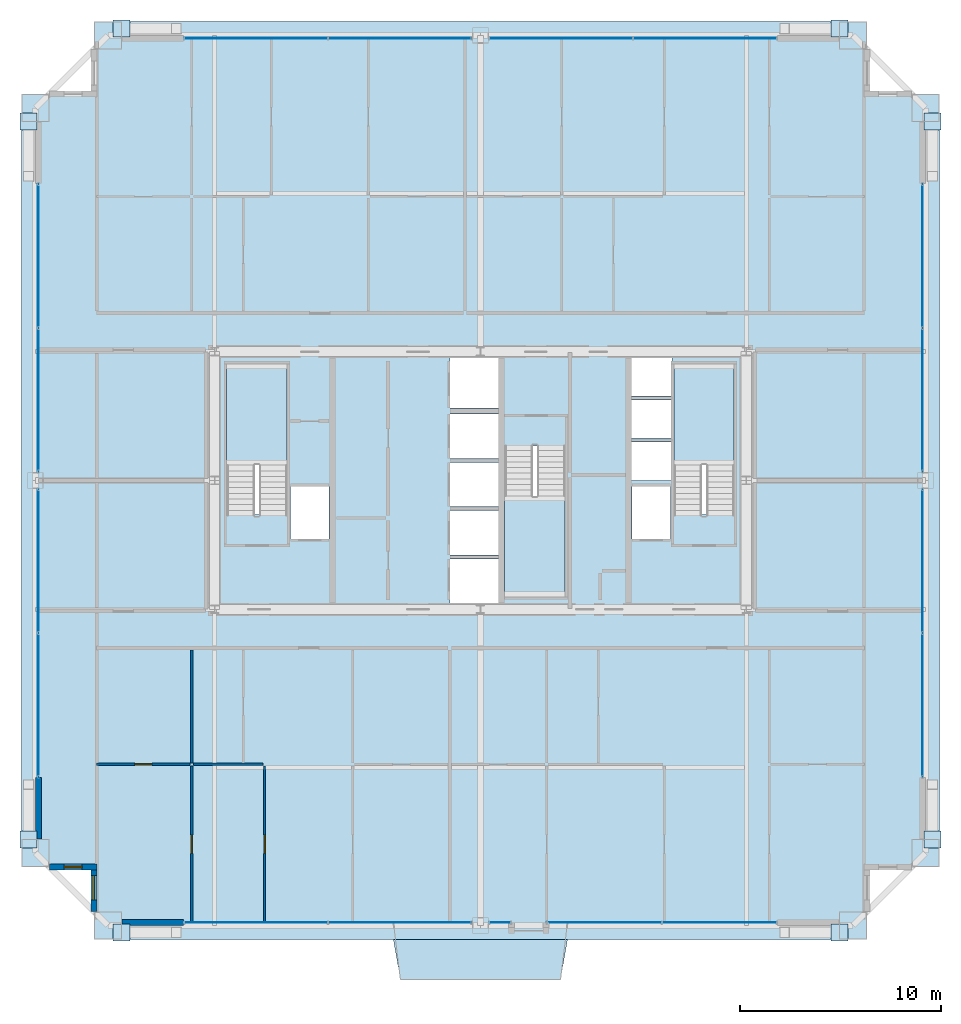
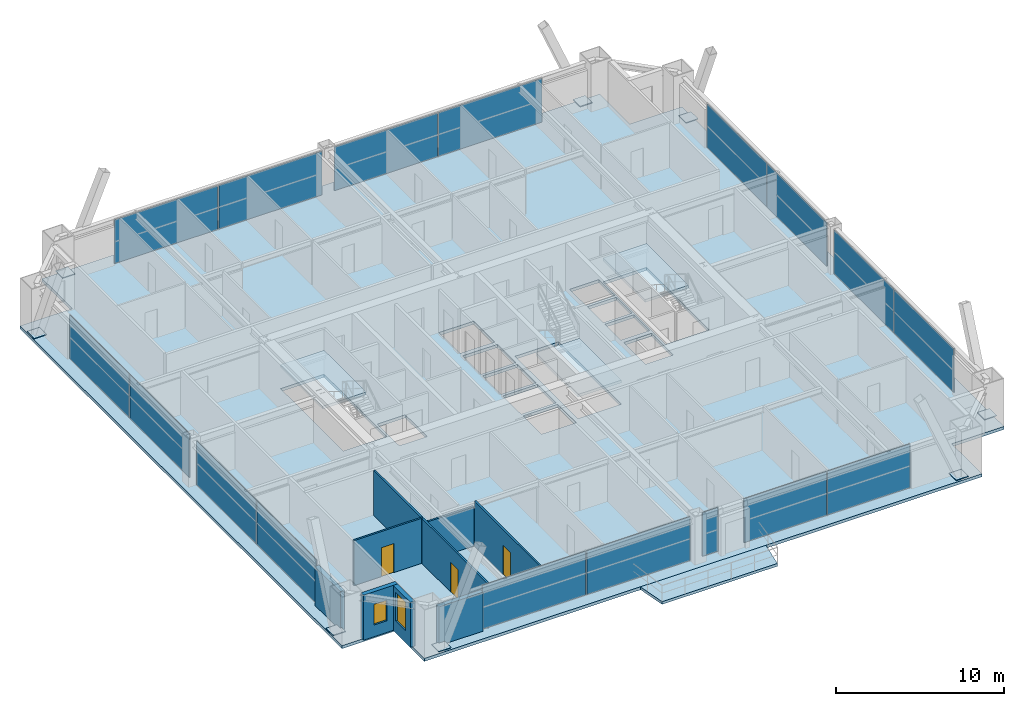
# One storey, part 39 of 45: 25 plates, 9 walls, 5 slabs, 3 doors, 2 windows, 5 openings, 12 elements without a shape of their own.
"""IFC4 building model written with IfcOpenShell, lengths in metres."""

import ifcopenshell
import ifcopenshell.guid

model = None  # the IFC model being written
_history = None  # IfcOwnerHistory: only IFC2X3 demands one
_inside = {}  # id of a spatial element -> (the spatial element, [elements in it])
_under = {}  # id of a project, library or spatial element -> (it, [spatial elements below it])
_declared = {}  # id of a project -> (the project, [libraries it declares])
_typed = {}  # id of a type object -> (the type object, [elements of that type])
_made_of = {}  # id of a material, layer set ... -> (it, [elements and type objects made of it])


def new_model(schema):
    """Start an empty IFC model of exactly this schema.

    Asked for "IFC4X3", IfcOpenShell would pick the latest addendum, in which some entities
    have other attributes; the version numbers below select the first issue.
    IFC2X3 requires an IfcOwnerHistory on every rooted entity: one is made here for all.
    """
    global model, _history
    if schema == "IFC4X3":
        model = ifcopenshell.file(schema_version=(4, 3, 0, 0))
    else:
        model = ifcopenshell.file(schema=schema)
    _inside.clear()
    _under.clear()
    _declared.clear()
    _typed.clear()
    _made_of.clear()
    _history = None
    if model.schema == "IFC2X3":
        org = make("IfcOrganization", Name="unknown")
        user = make(
            "IfcPersonAndOrganization",
            ThePerson=make("IfcPerson", FamilyName="unknown"),
            TheOrganization=org,
        )
        app = make(
            "IfcApplication",
            ApplicationDeveloper=org,
            Version="unknown",
            ApplicationFullName="unknown",
            ApplicationIdentifier="unknown",
        )
        _history = make(
            "IfcOwnerHistory",
            OwningUser=user,
            OwningApplication=app,
            ChangeAction="ADDED",
            CreationDate=0,
        )
    return model


def make(cls, **values):
    """One entity of the class cls with the attributes given. An attribute that is None is left unset."""
    return model.create_entity(
        cls, **{name: value for name, value in values.items() if value is not None}
    )


def rooted(cls, **values):
    """An entity with a GlobalId (a new one), such as an element, a storey or a relation."""
    return make(cls, GlobalId=ifcopenshell.guid.new(), OwnerHistory=_history, **values)


def si_unit(unit_type, name, prefix=None):
    """IfcSIUnit, for example si_unit("LENGTHUNIT", "METRE", prefix="MILLI")."""
    return make("IfcSIUnit", UnitType=unit_type, Prefix=prefix, Name=name)


def assignment(units):
    """IfcUnitAssignment: the units of a project."""
    return None if units is None else make("IfcUnitAssignment", Units=units)


def point(xyz):
    """IfcCartesianPoint."""
    return None if xyz is None else make("IfcCartesianPoint", Coordinates=xyz)


def direction(xyz):
    """IfcDirection."""
    return None if xyz is None else make("IfcDirection", DirectionRatios=xyz)


def frame(location, z_axis=None, x_axis=None):
    """IfcAxis2Placement3D, a coordinate frame: its origin and axes. An axis left out is left unset."""
    return make(
        "IfcAxis2Placement3D",
        Location=point(location),
        Axis=direction(z_axis),
        RefDirection=direction(x_axis),
    )


def frame_2d(location, x_axis=None):
    """IfcAxis2Placement2D, a coordinate frame in the plane: its origin and x axis."""
    return make(
        "IfcAxis2Placement2D", Location=point(location), RefDirection=direction(x_axis)
    )


def origin():
    """The frame at (0, 0, 0) with its axes left unset."""
    return frame((0.0, 0.0, 0.0))


def origin_2d():
    """The frame at (0, 0) in the plane with its x axis left unset."""
    return frame_2d((0.0, 0.0))


def place(relative_to, where):
    """IfcLocalPlacement: puts the frame where relative to a parent placement (None: the world)."""
    return make(
        "IfcLocalPlacement", PlacementRelTo=relative_to, RelativePlacement=where
    )


def context(
    kind, dimensions, precision=None, world=None, true_north=None, identifier=None
):
    """IfcGeometricRepresentationContext, for example the 3D "Model" context."""
    return make(
        "IfcGeometricRepresentationContext",
        ContextIdentifier=identifier,
        ContextType=kind,
        CoordinateSpaceDimension=dimensions,
        Precision=precision,
        WorldCoordinateSystem=world,
        TrueNorth=true_north,
    )


def subcontext(parent, identifier, kind, view, scale=None):
    """IfcGeometricRepresentationSubContext, for example "Body" below "Model"."""
    return make(
        "IfcGeometricRepresentationSubContext",
        ContextIdentifier=identifier,
        ContextType=kind,
        ParentContext=parent,
        TargetScale=scale,
        TargetView=view,
    )


def project(units=None, contexts=None):
    """IfcProject with its units and contexts."""
    return rooted(
        "IfcProject",
        Name="project",
        RepresentationContexts=contexts,
        UnitsInContext=assignment(units),
    )


def spatial(cls, under=None, at=None, **own):
    """A site, building, storey or space (cls), placed at a placement, below another one or the project."""
    s = rooted(cls, ObjectPlacement=at, **own)
    if under is not None:
        _under.setdefault(under.id(), (under, []))[1].append(s)
    return s


def polyline(points):
    """IfcPolyline through the points."""
    return make("IfcPolyline", Points=[point(p) for p in points])


def profile(cls, at=None, kind="AREA", **sizes):
    """A parametric profile (cls). Its sizes go by their IFC names, for example OverallWidth=200.0."""
    return make(cls, ProfileType=kind, Position=at, **sizes)


def rectangle(**sizes):
    """IfcRectangleProfileDef."""
    return profile("IfcRectangleProfileDef", **sizes)


def outline(outer, holes=None, kind="AREA"):
    """IfcArbitraryClosedProfileDef: a profile drawn as a closed curve; with holes, ...WithVoids."""
    if holes is None:
        return make("IfcArbitraryClosedProfileDef", ProfileType=kind, OuterCurve=outer)
    return make(
        "IfcArbitraryProfileDefWithVoids",
        ProfileType=kind,
        OuterCurve=outer,
        InnerCurves=holes,
    )


def extrude(swept, where, along, depth):
    """IfcExtrudedAreaSolid: the profile swept, set in the frame where, extruded along a direction by depth."""
    return make(
        "IfcExtrudedAreaSolid",
        SweptArea=swept,
        Position=where,
        ExtrudedDirection=direction(along),
        Depth=depth,
    )


def shape(context_of_items, identifier, shape_type, items):
    """IfcShapeRepresentation: the items that make up one representation, for example the "Body"."""
    return make(
        "IfcShapeRepresentation",
        ContextOfItems=context_of_items,
        RepresentationIdentifier=identifier,
        RepresentationType=shape_type,
        Items=items,
    )


def source(mapping_origin, context_of_items, identifier, shape_type, items):
    """IfcRepresentationMap: a shape defined once, which mapped items show again and again."""
    return make(
        "IfcRepresentationMap",
        MappingOrigin=mapping_origin,
        MappedRepresentation=shape(context_of_items, identifier, shape_type, items),
    )


def transform(
    local_origin,
    x_axis=None,
    y_axis=None,
    z_axis=None,
    scale=None,
    scale2=None,
    scale3=None,
    uniform=True,
):
    """IfcCartesianTransformationOperator3D, or its non-uniform kind. x_axis, y_axis, z_axis: its Axis1, 2, 3."""
    if uniform:
        return make(
            "IfcCartesianTransformationOperator3D",
            Axis1=direction(x_axis),
            Axis2=direction(y_axis),
            LocalOrigin=point(local_origin),
            Scale=scale,
            Axis3=direction(z_axis),
        )
    return make(
        "IfcCartesianTransformationOperator3DnonUniform",
        Axis1=direction(x_axis),
        Axis2=direction(y_axis),
        LocalOrigin=point(local_origin),
        Scale=scale,
        Axis3=direction(z_axis),
        Scale2=scale2,
        Scale3=scale3,
    )


def mapped(mapping_source, mapping_target):
    """IfcMappedItem: shows the shape of a source again, moved by a transform."""
    return make(
        "IfcMappedItem", MappingSource=mapping_source, MappingTarget=mapping_target
    )


def material(Name=None, Category=None):
    """IfcMaterial."""
    return make("IfcMaterial", Name=Name, Category=Category)


def layer(
    of_material, thickness, ventilated=None, Name=None, Category=None, Priority=None
):
    """IfcMaterialLayer: one layer of a wall or slab, of a material (None: an air gap)."""
    return make(
        "IfcMaterialLayer",
        Material=of_material,
        LayerThickness=thickness,
        IsVentilated=ventilated,
        Name=Name,
        Category=Category,
        Priority=Priority,
    )


def layer_set(layers, Name=None):
    """IfcMaterialLayerSet."""
    return make("IfcMaterialLayerSet", MaterialLayers=layers, LayerSetName=Name)


def made_of(thing, what):
    """Note that an element or type object is made of a material, layer set ...; save() writes the relation."""
    if what is not None:
        _made_of.setdefault(what.id(), (what, []))[1].append(thing)
    return thing


def type_object(cls, material=None, **own):
    """A type object (cls), such as IfcWallType, which elements share."""
    return made_of(rooted(cls, **own), material)


def element(
    cls,
    number,
    at=None,
    inside=None,
    cuts=None,
    type_object=None,
    material=None,
    context=None,
    identifier="Body",
    shape_type=None,
    held_by="IfcProductDefinitionShape",
    body=None,
    shapes=None,
    **own,
):
    """One element of the class cls, such as IfcWall. Its Tag is "e" and its number.

    at: its placement. inside: the storey or other place that contains it. cuts: it is an
    opening in that element (IfcRelVoidsElement). A single representation is given by context,
    identifier, shape_type and body (its items); several are given by shapes. held_by: the class
    of the entity that holds the representations. save() writes the other relations.
    """
    e = rooted(cls, Tag="e%d" % number, ObjectPlacement=at, **own)
    if body is not None:
        shapes = [shape(context, identifier, shape_type, body)]
    if shapes is not None:
        e.Representation = make(held_by, Representations=shapes)
    if inside is not None:
        _inside.setdefault(inside.id(), (inside, []))[1].append(e)
    if cuts is not None:
        rooted(
            "IfcRelVoidsElement", RelatingBuildingElement=cuts, RelatedOpeningElement=e
        )
    if type_object is not None:
        _typed.setdefault(type_object.id(), (type_object, []))[1].append(e)
    return made_of(e, material)


def fill(opening, filler):
    """IfcRelFillsElement: the door or window that sits in an opening."""
    return rooted(
        "IfcRelFillsElement",
        RelatingOpeningElement=opening,
        RelatedBuildingElement=filler,
    )


def aggregate(whole, parts):
    """IfcRelAggregates: a whole, such as a stair, and the parts it consists of."""
    return rooted("IfcRelAggregates", RelatingObject=whole, RelatedObjects=parts)


def save(model, path):
    """Write the relations noted so far, then the file.

    IfcRelAggregates (storeys below a building ...), IfcRelContainedInSpatialStructure (elements
    in a storey), IfcRelDefinesByType, IfcRelAssociatesMaterial and IfcRelDeclares: one each for
    every whole, place, type object, material and project.
    """
    for whole, parts in _under.values():
        aggregate(whole, parts)
    for where, things in _inside.values():
        rooted(
            "IfcRelContainedInSpatialStructure",
            RelatedElements=things,
            RelatingStructure=where,
        )
    for kind, things in _typed.values():
        rooted("IfcRelDefinesByType", RelatedObjects=things, RelatingType=kind)
    for what, things in _made_of.values():
        rooted("IfcRelAssociatesMaterial", RelatedObjects=things, RelatingMaterial=what)
    for by, libraries in _declared.values():
        rooted("IfcRelDeclares", RelatingContext=by, RelatedDefinitions=libraries)
    model.write(path)


model = new_model("IFC4")

# Units and contexts
model_context = context("Model", 3, precision=1e-05, world=origin(), true_north=direction((0.0, 1.0)))
body_context = subcontext(model_context, "Body", "Model", "MODEL_VIEW")
ifc_project = project(units=[si_unit("LENGTHUNIT", "METRE"), si_unit("AREAUNIT", "SQUARE_METRE"), si_unit("VOLUMEUNIT", "CUBIC_METRE"), si_unit("PLANEANGLEUNIT", "RADIAN"), si_unit("MASSUNIT", "GRAM", prefix="KILO"), si_unit("THERMODYNAMICTEMPERATUREUNIT", "KELVIN"), si_unit("POWERUNIT", "WATT")], contexts=[model_context])

# Site, building, storey
site_placement = place(None, origin())
site = spatial("IfcSite", under=ifc_project, at=site_placement, CompositionType="ELEMENT")
building_placement = place(site_placement, origin())
building = spatial("IfcBuilding", under=site, at=building_placement, Name="Yuzanri Waterfront Tower", CompositionType="ELEMENT")
storey_placement = place(building_placement, frame((0.0, 0.0, 212.5)))
storey = spatial("IfcBuildingStorey", under=building, at=storey_placement, Name="L56", CompositionType="ELEMENT", Elevation=212.5)

# Slab
ifc_material_1 = material(Name="Concrete C40", Category="concrete")
ifc_layer_1 = layer(ifc_material_1, 0.199951171875)
ifc_layer_set_1 = layer_set([ifc_layer_1], Name="Concrete C40")
slab_type_1 = type_object("IfcSlabType", Name="Concrete C40 Cantilevered Engawa Wave Terrace Slab 200", PredefinedType="FLOOR", material=ifc_layer_set_1)
slab_1_placement = place(storey_placement, frame((0.0, 0.0, -0.199951171875)))
element("IfcSlab", 1, at=slab_1_placement, inside=storey, type_object=slab_type_1, Name="L56 S Cantilevered Engawa Terrace Slab", PredefinedType="FLOOR", context=body_context, shape_type="SweptSolid", body=[
    extrude(outline(polyline([(32.676513671875, 3.0), (41.323486328125, 3.0), (40.973388671875, 1.01904296875), (33.026611328125, 1.01904296875), (32.676513671875, 3.0)])), origin(), (0.0, 0.0, 1.0), 0.199951171875),
])

# Stair, slab
ifc_material_2 = material(Name="Concrete C40", Category="concrete")
stair_type = type_object("IfcStairType", Name="Concrete C40 Core Dogleg Exit Stair", PredefinedType="HALF_TURN_STAIR", material=ifc_material_2)
stair_1_placement = place(storey_placement, origin())
stair_1 = element("IfcStair", 2, at=stair_1_placement, inside=storey, type_object=stair_type, Name="L56 Smoke-Proof Core Stair ST-01", PredefinedType="HALF_TURN_STAIR")
ifc_material_3 = material(Name="Concrete C40", Category="concrete")
ifc_layer_2 = layer(ifc_material_3, 0.179931640625)
ifc_layer_set_2 = layer_set([ifc_layer_2], Name="Concrete C40")
slab_type_2 = type_object("IfcSlabType", Name="Concrete C40 Stair Half-Landing Slab 180", PredefinedType="LANDING", material=ifc_layer_set_2)
slab_2_placement = place(storey_placement, frame((0.0, 0.0, 1.550048828125)))
slab_2 = element("IfcSlab", 3, at=slab_2_placement, type_object=slab_type_2, Name="ST-01 landing 1", PredefinedType="LANDING", context=body_context, shape_type="SweptSolid", body=[
    extrude(outline(polyline([(27.39990234375, 26.56005859375), (27.39990234375, 31.580078125), (24.39990234375, 31.580078125), (24.39990234375, 26.56005859375), (27.39990234375, 26.56005859375)])), origin(), (0.0, 0.0, 1.0), 0.199951171875),
])
aggregate(stair_1, [slab_2])

stair_2_placement = place(storey_placement, origin())
stair_2 = element("IfcStair", 4, at=stair_2_placement, inside=storey, type_object=stair_type, Name="L56 Smoke-Proof Core Stair ST-02", PredefinedType="HALF_TURN_STAIR")
slab_3_placement = place(storey_placement, frame((0.0, 0.0, 1.550048828125)))
slab_3 = element("IfcSlab", 5, at=slab_3_placement, type_object=slab_type_2, Name="ST-02 landing 1", PredefinedType="LANDING", context=body_context, shape_type="SweptSolid", body=[
    extrude(outline(polyline([(49.60009765625, 26.56005859375), (49.60009765625, 31.580078125), (46.60009765625, 31.580078125), (46.60009765625, 26.56005859375), (49.60009765625, 26.56005859375)])), origin(), (0.0, 0.0, 1.0), 0.199951171875),
])
aggregate(stair_2, [slab_3])

stair_3_placement = place(storey_placement, origin())
stair_3 = element("IfcStair", 6, at=stair_3_placement, inside=storey, type_object=stair_type, Name="L56 Smoke-Proof Core Stair ST-03", PredefinedType="HALF_TURN_STAIR")
slab_4_placement = place(storey_placement, frame((0.0, 0.0, 1.550048828125)))
slab_4 = element("IfcSlab", 7, at=slab_4_placement, type_object=slab_type_2, Name="ST-03 landing 1", PredefinedType="LANDING", context=body_context, shape_type="SweptSolid", body=[
    extrude(outline(polyline([(38.199951171875, 25.0400390625), (38.199951171875, 20.02001953125), (41.199951171875, 20.02001953125), (41.199951171875, 25.0400390625), (38.199951171875, 25.0400390625)])), origin(), (0.0, 0.0, 1.0), 0.199951171875),
])
aggregate(stair_3, [slab_4])

# Slab
ifc_material_4 = material(Name="Concrete C40", Category="concrete")
ifc_layer_3 = layer(ifc_material_4, 0.219970703125)
ifc_layer_set_3 = layer_set([ifc_layer_3], Name="Concrete C40")
slab_type_3 = type_object("IfcSlabType", Name="Concrete C40 Tower Typical Structural Floor Slab 220", PredefinedType="FLOOR", material=ifc_layer_set_3)
slab_5_placement = place(storey_placement, frame((0.0, 0.0, -0.219970703125)))
element("IfcSlab", 8, at=slab_5_placement, inside=storey, type_object=slab_type_3, Name="L56 Main Structural Floor Slab", PredefinedType="FLOOR", context=body_context, shape_type="SweptSolid", body=[
    extrude(outline(polyline([(17.800048828125, 3.0), (56.199951171875, 3.0), (56.199951171875, 6.60009765625), (59.800048828125, 6.60009765625), (59.800048828125, 45.0), (56.199951171875, 45.0), (56.199951171875, 48.60009765625), (17.800048828125, 48.60009765625), (17.800048828125, 45.0), (14.199951171875, 45.0), (14.199951171875, 6.60009765625), (17.800048828125, 6.60009765625), (17.800048828125, 3.0)]), holes=[polyline([(27.39990234375, 24.10009765625), (27.39990234375, 31.580078125), (24.39990234375, 31.580078125), (24.39990234375, 24.10009765625), (27.39990234375, 24.10009765625)]), polyline([(49.60009765625, 24.10009765625), (49.60009765625, 31.580078125), (46.60009765625, 31.580078125), (46.60009765625, 24.10009765625), (49.60009765625, 24.10009765625)]), polyline([(38.199951171875, 27.5), (38.199951171875, 20.02001953125), (41.199951171875, 20.02001953125), (41.199951171875, 27.5), (38.199951171875, 27.5)]), polyline([(27.56005859375, 22.89990234375), (29.47998046875, 22.89990234375), (29.47998046875, 25.5), (27.56005859375, 25.5), (27.56005859375, 22.89990234375)]), polyline([(44.52001953125, 22.89990234375), (46.43994140625, 22.89990234375), (46.43994140625, 25.5), (44.52001953125, 25.5), (44.52001953125, 22.89990234375)]), polyline([(35.5, 19.699951171875), (37.89990234375, 19.699951171875), (37.89990234375, 21.89990234375), (35.5, 21.89990234375), (35.5, 19.699951171875)]), polyline([(35.5, 22.10009765625), (37.89990234375, 22.10009765625), (37.89990234375, 24.300048828125), (35.5, 24.300048828125), (35.5, 22.10009765625)]), polyline([(35.5, 24.5), (37.89990234375, 24.5), (37.89990234375, 26.699951171875), (35.5, 26.699951171875), (35.5, 24.5)]), polyline([(35.5, 26.89990234375), (37.89990234375, 26.89990234375), (37.89990234375, 29.10009765625), (35.5, 29.10009765625), (35.5, 26.89990234375)]), polyline([(35.5, 29.39990234375), (37.89990234375, 29.39990234375), (37.89990234375, 31.89990234375), (35.5, 31.89990234375), (35.5, 29.39990234375)]), polyline([(44.5, 25.800048828125), (46.5, 25.800048828125), (46.5, 27.699951171875), (44.5, 27.699951171875), (44.5, 25.800048828125)]), polyline([(44.5, 27.89990234375), (46.5, 27.89990234375), (46.5, 29.800048828125), (44.5, 29.800048828125), (44.5, 27.89990234375)]), polyline([(44.5, 30.0), (46.5, 30.0), (46.5, 31.89990234375), (44.5, 31.89990234375), (44.5, 30.0)])]), origin(), (0.0, 0.0, 1.0), 0.219970703125),
])

# Plates
ifc_material_5 = material(Name="Steel Q420GJC", Category="steel")
ifc_layer_4 = layer(ifc_material_5, 0.0400390625)
ifc_layer_set_4 = layer_set([ifc_layer_4], Name="Steel Q420GJC")
plate_type_1 = type_object("IfcPlateType", Name="Steel Q420GJC Mega-Brace Gusset and End-Cap Plate 40", PredefinedType="SHEET", material=ifc_layer_set_4)
shared_shape_1 = source(origin(), body_context, "Body", "SweptSolid", [
    extrude(rectangle(XDim=0.85009765625, YDim=0.85009765625, at=origin_2d()), origin(), (0.0, 0.0, 1.0), 0.0400390625),
])
for number, where, z_axis, x_axis, name in (
    (9, (19.179931640625, 3.360107421875, 0.159912109375), (0.0, 0.0, 1.0), (1.0, 0.0, 0.0), "L56 Mega-Brace Foot Cap Plate S-L"),
    (10, (54.820068359375, 3.360107421875, 0.159912109375), (0.0, 0.0, 1.0), (1.0, 0.0, 0.0), "L56 Mega-Brace Foot Cap Plate S-R"),
    (11, (19.179931640625, 48.239990234375, 0.159912109375), (0.0, 0.0, 1.0), (1.0, 0.0, 0.0), "L56 Mega-Brace Foot Cap Plate N-L"),
    (12, (54.820068359375, 48.239990234375, 0.159912109375), (0.0, 0.0, 1.0), (1.0, 0.0, 0.0), "L56 Mega-Brace Foot Cap Plate N-R"),
    (13, (14.56005859375, 7.97998046875, 0.159912109375), (0.0, 0.0, 1.0), (1.0, 0.0, 0.0), "L56 Mega-Brace Foot Cap Plate W-L"),
    (14, (14.56005859375, 43.6201171875, 0.159912109375), (0.0, 0.0, 1.0), (1.0, 0.0, 0.0), "L56 Mega-Brace Foot Cap Plate W-R"),
    (15, (59.43994140625, 7.97998046875, 0.159912109375), (0.0, 0.0, 1.0), (1.0, 0.0, 0.0), "L56 Mega-Brace Foot Cap Plate E-L"),
    (16, (59.43994140625, 43.6201171875, 0.159912109375), (0.0, 0.0, 1.0), (1.0, 0.0, 0.0), "L56 Mega-Brace Foot Cap Plate E-R"),
):
    element("IfcPlate", number, at=place(storey_placement, frame(where, z_axis=z_axis, x_axis=x_axis)), inside=storey, type_object=plate_type_1, Name=name, PredefinedType="SHEET", context=body_context, shape_type="MappedRepresentation", body=[
        mapped(shared_shape_1, transform((0.0, 0.0, 0.0), scale=1.0)),
    ])

# Curtain wall, plates
ifc_material_6 = material(Name="Anodized Architectural Bronze", Category="metal")
ifc_layer_5 = layer(ifc_material_6, 0.159912109375)
ifc_layer_set_5 = layer_set([ifc_layer_5], Name="Anodized Architectural Bronze")
curtain_wall_type = type_object("IfcCurtainWallType", Name="Anodized Bronze Mid-Rise Residential Acoustic Unitized Curtain Wall 7200", PredefinedType="NOTDEFINED", material=ifc_layer_set_5)
curtain_wall_1_placement = place(storey_placement, origin())
curtain_wall_1 = element("IfcCurtainWall", 17, at=curtain_wall_1_placement, inside=storey, type_object=curtain_wall_type, Name="L56 Curtain Wall CW-L56-SL", PredefinedType="NOTDEFINED")
ifc_material_7 = material(Name="Triple Low-E Laminated Insulated Glass", Category="glass")
ifc_layer_6 = layer(ifc_material_7, 0.0439453125)
ifc_layer_set_6 = layer_set([ifc_layer_6], Name="Triple Low-E Laminated Insulated Glass")
plate_type_2 = type_object("IfcPlateType", Name="Triple Glazed Acoustic Vision Glass Panel 44", PredefinedType="CURTAIN_PANEL", material=ifc_layer_set_6)
shared_shape_2 = source(origin(), body_context, "Body", "SweptSolid", [
    extrude(rectangle(XDim=7.094970703125, YDim=0.0439453125, at=origin_2d()), origin(), (0.0, 0.0, 1.0), 3.179931640625),
])
plate_1_placement = place(storey_placement, frame((25.83740234375, 3.85009765625, 0.0498046875), z_axis=(0.0, 0.0, 1.0), x_axis=(1.0, 0.0, 0.0)))
plate_1 = element("IfcPlate", 18, at=plate_1_placement, type_object=plate_type_2, Name="CW-L56-SL Vision Glass Panel 01", PredefinedType="CURTAIN_PANEL", context=body_context, shape_type="MappedRepresentation", body=[
    mapped(shared_shape_2, transform((0.0, 0.0, 0.0), scale=1.0)),
])
plate_2_placement = place(storey_placement, frame((33.012451171875, 3.85009765625, 0.0498046875), z_axis=(0.0, 0.0, 1.0), x_axis=(1.0, 0.0, 0.0)))
plate_2 = element("IfcPlate", 19, at=plate_2_placement, type_object=plate_type_2, Name="CW-L56-SL Vision Glass Panel 02", PredefinedType="CURTAIN_PANEL", context=body_context, shape_type="MappedRepresentation", body=[
    mapped(shared_shape_2, transform((0.0, 0.0, 0.0), scale=1.0)),
])
aggregate(curtain_wall_1, [plate_1, plate_2])

curtain_wall_2_placement = place(storey_placement, origin())
curtain_wall_2 = element("IfcCurtainWall", 20, at=curtain_wall_2_placement, inside=storey, type_object=curtain_wall_type, Name="L56 Curtain Wall CW-L56-NL", PredefinedType="NOTDEFINED")
plate_3_placement = place(storey_placement, frame((25.83740234375, 47.75, 0.0498046875), z_axis=(0.0, 0.0, 1.0), x_axis=(1.0, 0.0, 0.0)))
plate_3 = element("IfcPlate", 21, at=plate_3_placement, type_object=plate_type_2, Name="CW-L56-NL Vision Glass Panel 01", PredefinedType="CURTAIN_PANEL", context=body_context, shape_type="MappedRepresentation", body=[
    mapped(shared_shape_2, transform((0.0, 0.0, 0.0), scale=1.0)),
])
plate_4_placement = place(storey_placement, frame((33.012451171875, 47.75, 0.0498046875), z_axis=(0.0, 0.0, 1.0), x_axis=(1.0, 0.0, 0.0)))
plate_4 = element("IfcPlate", 22, at=plate_4_placement, type_object=plate_type_2, Name="CW-L56-NL Vision Glass Panel 02", PredefinedType="CURTAIN_PANEL", context=body_context, shape_type="MappedRepresentation", body=[
    mapped(shared_shape_2, transform((0.0, 0.0, 0.0), scale=1.0)),
])
aggregate(curtain_wall_2, [plate_3, plate_4])

curtain_wall_3_placement = place(storey_placement, origin())
curtain_wall_3 = element("IfcCurtainWall", 23, at=curtain_wall_3_placement, inside=storey, type_object=curtain_wall_type, Name="L56 Curtain Wall CW-L56-NR", PredefinedType="NOTDEFINED")
plate_5_placement = place(storey_placement, frame((40.987548828125, 47.75, 0.0498046875), z_axis=(0.0, 0.0, 1.0), x_axis=(1.0, 0.0, 0.0)))
plate_5 = element("IfcPlate", 24, at=plate_5_placement, type_object=plate_type_2, Name="CW-L56-NR Vision Glass Panel 01", PredefinedType="CURTAIN_PANEL", context=body_context, shape_type="MappedRepresentation", body=[
    mapped(shared_shape_2, transform((0.0, 0.0, 0.0), scale=1.0)),
])
plate_6_placement = place(storey_placement, frame((48.16259765625, 47.75, 0.0498046875), z_axis=(0.0, 0.0, 1.0), x_axis=(1.0, 0.0, 0.0)))
plate_6 = element("IfcPlate", 25, at=plate_6_placement, type_object=plate_type_2, Name="CW-L56-NR Vision Glass Panel 02", PredefinedType="CURTAIN_PANEL", context=body_context, shape_type="MappedRepresentation", body=[
    mapped(shared_shape_2, transform((0.0, 0.0, 0.0), scale=1.0)),
])
aggregate(curtain_wall_3, [plate_5, plate_6])

curtain_wall_4_placement = place(storey_placement, origin())
curtain_wall_4 = element("IfcCurtainWall", 26, at=curtain_wall_4_placement, inside=storey, type_object=curtain_wall_type, Name="L56 Curtain Wall CW-L56-WL", PredefinedType="NOTDEFINED")
plate_7_placement = place(storey_placement, frame((15.050048828125, 14.637451171875, 0.0498046875), z_axis=(0.0, 0.0, 1.0), x_axis=(0.0, 1.0, 0.0)))
plate_7 = element("IfcPlate", 27, at=plate_7_placement, type_object=plate_type_2, Name="CW-L56-WL Vision Glass Panel 01", PredefinedType="CURTAIN_PANEL", context=body_context, shape_type="MappedRepresentation", body=[
    mapped(shared_shape_2, transform((0.0, 0.0, 0.0), scale=1.0)),
])
plate_8_placement = place(storey_placement, frame((15.050048828125, 21.8125, 0.0498046875), z_axis=(0.0, 0.0, 1.0), x_axis=(0.0, 1.0, 0.0)))
plate_8 = element("IfcPlate", 28, at=plate_8_placement, type_object=plate_type_2, Name="CW-L56-WL Vision Glass Panel 02", PredefinedType="CURTAIN_PANEL", context=body_context, shape_type="MappedRepresentation", body=[
    mapped(shared_shape_2, transform((0.0, 0.0, 0.0), scale=1.0)),
])
aggregate(curtain_wall_4, [plate_7, plate_8])

curtain_wall_5_placement = place(storey_placement, origin())
curtain_wall_5 = element("IfcCurtainWall", 29, at=curtain_wall_5_placement, inside=storey, type_object=curtain_wall_type, Name="L56 Curtain Wall CW-L56-WR", PredefinedType="NOTDEFINED")
plate_9_placement = place(storey_placement, frame((15.050048828125, 29.78759765625, 0.0498046875), z_axis=(0.0, 0.0, 1.0), x_axis=(0.0, 1.0, 0.0)))
plate_9 = element("IfcPlate", 30, at=plate_9_placement, type_object=plate_type_2, Name="CW-L56-WR Vision Glass Panel 01", PredefinedType="CURTAIN_PANEL", context=body_context, shape_type="MappedRepresentation", body=[
    mapped(shared_shape_2, transform((0.0, 0.0, 0.0), scale=1.0)),
])
plate_10_placement = place(storey_placement, frame((15.050048828125, 36.96240234375, 0.0498046875), z_axis=(0.0, 0.0, 1.0), x_axis=(0.0, 1.0, 0.0)))
plate_10 = element("IfcPlate", 31, at=plate_10_placement, type_object=plate_type_2, Name="CW-L56-WR Vision Glass Panel 02", PredefinedType="CURTAIN_PANEL", context=body_context, shape_type="MappedRepresentation", body=[
    mapped(shared_shape_2, transform((0.0, 0.0, 0.0), scale=1.0)),
])
aggregate(curtain_wall_5, [plate_9, plate_10])

curtain_wall_6_placement = place(storey_placement, origin())
curtain_wall_6 = element("IfcCurtainWall", 32, at=curtain_wall_6_placement, inside=storey, type_object=curtain_wall_type, Name="L56 Curtain Wall CW-L56-EL", PredefinedType="NOTDEFINED")
plate_11_placement = place(storey_placement, frame((58.949951171875, 14.637451171875, 0.0498046875), z_axis=(0.0, 0.0, 1.0), x_axis=(0.0, 1.0, 0.0)))
plate_11 = element("IfcPlate", 33, at=plate_11_placement, type_object=plate_type_2, Name="CW-L56-EL Vision Glass Panel 01", PredefinedType="CURTAIN_PANEL", context=body_context, shape_type="MappedRepresentation", body=[
    mapped(shared_shape_2, transform((0.0, 0.0, 0.0), scale=1.0)),
])
plate_12_placement = place(storey_placement, frame((58.949951171875, 21.8125, 0.0498046875), z_axis=(0.0, 0.0, 1.0), x_axis=(0.0, 1.0, 0.0)))
plate_12 = element("IfcPlate", 34, at=plate_12_placement, type_object=plate_type_2, Name="CW-L56-EL Vision Glass Panel 02", PredefinedType="CURTAIN_PANEL", context=body_context, shape_type="MappedRepresentation", body=[
    mapped(shared_shape_2, transform((0.0, 0.0, 0.0), scale=1.0)),
])
aggregate(curtain_wall_6, [plate_11, plate_12])

curtain_wall_7_placement = place(storey_placement, origin())
curtain_wall_7 = element("IfcCurtainWall", 35, at=curtain_wall_7_placement, inside=storey, type_object=curtain_wall_type, Name="L56 Curtain Wall CW-L56-ER", PredefinedType="NOTDEFINED")
plate_13_placement = place(storey_placement, frame((58.949951171875, 29.78759765625, 0.0498046875), z_axis=(0.0, 0.0, 1.0), x_axis=(0.0, 1.0, 0.0)))
plate_13 = element("IfcPlate", 36, at=plate_13_placement, type_object=plate_type_2, Name="CW-L56-ER Vision Glass Panel 01", PredefinedType="CURTAIN_PANEL", context=body_context, shape_type="MappedRepresentation", body=[
    mapped(shared_shape_2, transform((0.0, 0.0, 0.0), scale=1.0)),
])
plate_14_placement = place(storey_placement, frame((58.949951171875, 36.96240234375, 0.0498046875), z_axis=(0.0, 0.0, 1.0), x_axis=(0.0, 1.0, 0.0)))
plate_14 = element("IfcPlate", 37, at=plate_14_placement, type_object=plate_type_2, Name="CW-L56-ER Vision Glass Panel 02", PredefinedType="CURTAIN_PANEL", context=body_context, shape_type="MappedRepresentation", body=[
    mapped(shared_shape_2, transform((0.0, 0.0, 0.0), scale=1.0)),
])
aggregate(curtain_wall_7, [plate_13, plate_14])

# Curtain wall, plate
curtain_wall_8_placement = place(storey_placement, origin())
curtain_wall_8 = element("IfcCurtainWall", 38, at=curtain_wall_8_placement, inside=storey, type_object=curtain_wall_type, Name="L56 Curtain Wall CW-L56-SR1", PredefinedType="NOTDEFINED")
shared_shape_3 = source(origin(), body_context, "Body", "SweptSolid", [
    extrude(rectangle(XDim=1.070068359375, YDim=0.0439453125, at=origin_2d()), origin(), (0.0, 0.0, 1.0), 3.179931640625),
])
plate_15_placement = place(storey_placement, frame((37.97509765625, 3.85009765625, 0.0498046875), z_axis=(0.0, 0.0, 1.0), x_axis=(1.0, 0.0, 0.0)))
plate_15 = element("IfcPlate", 39, at=plate_15_placement, type_object=plate_type_2, Name="CW-L56-SR1 Vision Glass Panel 01", PredefinedType="CURTAIN_PANEL", context=body_context, shape_type="MappedRepresentation", body=[
    mapped(shared_shape_3, transform((0.0, 0.0, 0.0), scale=1.0)),
])
aggregate(curtain_wall_8, [plate_15])

# Curtain wall, plates
curtain_wall_9_placement = place(storey_placement, origin())
curtain_wall_9 = element("IfcCurtainWall", 40, at=curtain_wall_9_placement, inside=storey, type_object=curtain_wall_type, Name="L56 Curtain Wall CW-L56-SR2", PredefinedType="NOTDEFINED")
shared_shape_4 = source(origin(), body_context, "Body", "SweptSolid", [
    extrude(rectangle(XDim=5.669921875, YDim=0.0439453125, at=origin_2d()), origin(), (0.0, 0.0, 1.0), 3.179931640625),
])
plate_16_placement = place(storey_placement, frame((43.125, 3.85009765625, 0.0498046875), z_axis=(0.0, 0.0, 1.0), x_axis=(1.0, 0.0, 0.0)))
plate_16 = element("IfcPlate", 41, at=plate_16_placement, type_object=plate_type_2, Name="CW-L56-SR2 Vision Glass Panel 01", PredefinedType="CURTAIN_PANEL", context=body_context, shape_type="MappedRepresentation", body=[
    mapped(shared_shape_4, transform((0.0, 0.0, 0.0), scale=1.0)),
])
plate_17_placement = place(storey_placement, frame((48.875, 3.85009765625, 0.0498046875), z_axis=(0.0, 0.0, 1.0), x_axis=(1.0, 0.0, 0.0)))
plate_17 = element("IfcPlate", 42, at=plate_17_placement, type_object=plate_type_2, Name="CW-L56-SR2 Vision Glass Panel 02", PredefinedType="CURTAIN_PANEL", context=body_context, shape_type="MappedRepresentation", body=[
    mapped(shared_shape_4, transform((0.0, 0.0, 0.0), scale=1.0)),
])
aggregate(curtain_wall_9, [plate_16, plate_17])

# Wall, opening, door
ifc_material_8 = material(Name="Moisture-Resistant Gypsum Stud Wall", Category="gypsum")
ifc_layer_7 = layer(ifc_material_8, 0.1201171875)
ifc_layer_set_7 = layer_set([ifc_layer_7], Name="Moisture-Resistant Gypsum Stud Wall")
wall_type_1 = type_object("IfcWallType", Name="Bathroom and Kitchen Wet Partition 120", PredefinedType="PARTITIONING", material=ifc_layer_set_7)
wall_1_placement = place(storey_placement, frame((17.93994140625, 11.699951171875, 0.0), z_axis=(0.0, 0.0, 1.0), x_axis=(1.0, 0.0, 0.0)))
wall_1 = element("IfcWall", 43, at=wall_1_placement, inside=storey, type_object=wall_type_1, Name="L56 Partition UW-L56-RS1-SUB-1-S", PredefinedType="PARTITIONING", context=body_context, shape_type="SweptSolid", body=[
    extrude(rectangle(XDim=4.64697265625, YDim=0.1201171875, at=frame_2d((2.323486328125, 0.0))), origin(), (0.0, 0.0, 1.0), 3.280029296875),
])
opening_1_placement = place(wall_1_placement, frame((1.8984375, 0.0, 0.0)))
opening_1 = element("IfcOpeningElement", 44, at=opening_1_placement, cuts=wall_1, Name="Opening ID-0850", PredefinedType="OPENING", context=body_context, shape_type="SweptSolid", body=[
    extrude(rectangle(XDim=0.85009765625, YDim=2.10009765625, at=frame_2d((0.425048828125, 1.050048828125))), frame((0.0, 0.074951171875, 0.0), z_axis=(0.0, -1.0, 0.0), x_axis=(1.0, 0.0, 0.0)), (0.0, 0.0, 1.0), 0.14990234375),
])
ifc_material_9 = material(Name="Moisture-Resistant Lacquered Timber", Category="wood")
door_type_1 = type_object("IfcDoorType", Name="En-Suite Bathroom and Kitchen Swing Door 850x2100", OperationType="NOTDEFINED", PredefinedType="DOOR", material=ifc_material_9)
shared_shape_5 = source(origin(), body_context, "Body", "SweptSolid", [
    extrude(rectangle(XDim=0.85009765625, YDim=2.10009765625, at=frame_2d((0.425048828125, 1.050048828125))), frame((0.0, 0.02490234375, 0.0), z_axis=(0.0, -1.0, 0.0), x_axis=(1.0, 0.0, 0.0)), (0.0, 0.0, 1.0), 0.050048828125),
])
door_1_placement = place(opening_1_placement, origin())
door_1 = element("IfcDoor", 45, at=door_1_placement, inside=storey, type_object=door_type_1, Name="L56 Suite Interior Room Door", OperationType="SINGLE_SWING_LEFT", OverallHeight=2.10009765625, OverallWidth=0.85009765625, PredefinedType="DOOR", context=body_context, shape_type="MappedRepresentation", body=[
    mapped(shared_shape_5, transform((0.0, 0.0, 0.0), scale=1.0)),
])
fill(opening_1, door_1)

wall_2_placement = place(storey_placement, frame((22.6669921875, 3.85009765625, 0.0), z_axis=(0.0, 0.0, 1.0), x_axis=(0.0, 1.0, 0.0)))
wall_2 = element("IfcWall", 46, at=wall_2_placement, inside=storey, type_object=wall_type_1, Name="L56 Partition UW-L56-RS1-SUB-4-E", PredefinedType="PARTITIONING", context=body_context, shape_type="SweptSolid", body=[
    extrude(rectangle(XDim=7.77001953125, YDim=0.1201171875, at=frame_2d((3.885009765625, 0.0))), origin(), (0.0, 0.0, 1.0), 3.280029296875),
])
opening_2_placement = place(wall_2_placement, frame((3.43505859375, 0.0, 0.0)))
opening_2 = element("IfcOpeningElement", 47, at=opening_2_placement, cuts=wall_2, Name="Opening ID-0900", PredefinedType="OPENING", context=body_context, shape_type="SweptSolid", body=[
    extrude(rectangle(XDim=0.89990234375, YDim=2.14990234375, at=frame_2d((0.449951171875, 1.074951171875))), frame((0.0, 0.074951171875, 0.0), z_axis=(0.0, -1.0, 0.0), x_axis=(1.0, 0.0, 0.0)), (0.0, 0.0, 1.0), 0.14990234375),
])
ifc_material_10 = material(Name="Stained Walnut Veneer Timber", Category="wood")
door_type_2 = type_object("IfcDoorType", Name="Bedroom and Study Interior Swing Door 900x2150", OperationType="NOTDEFINED", PredefinedType="DOOR", material=ifc_material_10)
shared_shape_6 = source(origin(), body_context, "Body", "SweptSolid", [
    extrude(rectangle(XDim=0.89990234375, YDim=2.14990234375, at=frame_2d((0.449951171875, 1.074951171875))), frame((0.0, 0.02490234375, 0.0), z_axis=(0.0, -1.0, 0.0), x_axis=(1.0, 0.0, 0.0)), (0.0, 0.0, 1.0), 0.050048828125),
])
door_2_placement = place(opening_2_placement, origin())
door_2 = element("IfcDoor", 48, at=door_2_placement, inside=storey, type_object=door_type_2, Name="L56 Suite Interior Room Door", OperationType="SINGLE_SWING_RIGHT", OverallHeight=2.14990234375, OverallWidth=0.89990234375, PredefinedType="DOOR", context=body_context, shape_type="MappedRepresentation", body=[
    mapped(shared_shape_6, transform((0.0, 0.0, 0.0), scale=1.0)),
])
fill(opening_2, door_2)

wall_3_placement = place(storey_placement, frame((26.277099609375, 3.85009765625, 0.0), z_axis=(0.0, 0.0, 1.0), x_axis=(0.0, 1.0, 0.0)))
wall_3 = element("IfcWall", 49, at=wall_3_placement, inside=storey, type_object=wall_type_1, Name="L56 Partition UW-L56-RS1-SUB-6-E", PredefinedType="PARTITIONING", context=body_context, shape_type="SweptSolid", body=[
    extrude(rectangle(XDim=7.77001953125, YDim=0.1201171875, at=frame_2d((3.885009765625, 0.0))), origin(), (0.0, 0.0, 1.0), 3.280029296875),
])
opening_3_placement = place(wall_3_placement, frame((3.43505859375, 0.0, 0.0)))
opening_3 = element("IfcOpeningElement", 50, at=opening_3_placement, cuts=wall_3, Name="Opening ID-0900", PredefinedType="OPENING", context=body_context, shape_type="SweptSolid", body=[
    extrude(rectangle(XDim=0.89990234375, YDim=2.14990234375, at=frame_2d((0.449951171875, 1.074951171875))), frame((0.0, 0.074951171875, 0.0), z_axis=(0.0, -1.0, 0.0), x_axis=(1.0, 0.0, 0.0)), (0.0, 0.0, 1.0), 0.14990234375),
])
door_3_placement = place(opening_3_placement, origin())
door_3 = element("IfcDoor", 51, at=door_3_placement, inside=storey, type_object=door_type_2, Name="L56 Suite Interior Room Door", OperationType="SINGLE_SWING_RIGHT", OverallHeight=2.14990234375, OverallWidth=0.89990234375, PredefinedType="DOOR", context=body_context, shape_type="MappedRepresentation", body=[
    mapped(shared_shape_6, transform((0.0, 0.0, 0.0), scale=1.0)),
])
fill(opening_3, door_3)

# Wall, opening, window
ifc_material_11 = material(Name="Honed Chongqing Dark Basalt Stone", Category="masonry")
ifc_layer_8 = layer(ifc_material_11, 0.300048828125)
ifc_layer_set_8 = layer_set([ifc_layer_8], Name="Honed Chongqing Dark Basalt Stone")
wall_type_2 = type_object("IfcWallType", Name="Bronze Rainscreen Insulated Spandrel Portal Wall 300", PredefinedType="SOLIDWALL", material=ifc_layer_set_8)
wall_4_placement = place(storey_placement, frame((15.60009765625, 6.60009765625, 0.0), z_axis=(0.0, 0.0, 1.0), x_axis=(1.0, 0.0, 0.0)))
wall_4 = element("IfcWall", 52, at=wall_4_placement, inside=storey, type_object=wall_type_2, Name="L56 Notched Corner Masonry Wall SW-X", PredefinedType="SOLIDWALL", context=body_context, shape_type="SweptSolid", body=[
    extrude(rectangle(XDim=2.349853515625, YDim=0.300048828125, at=frame_2d((1.1748046875, 0.0))), origin(), (0.0, 0.0, 1.0), 3.280029296875),
])
opening_4_placement = place(wall_4_placement, frame((0.72509765625, 0.0, 0.85009765625)))
opening_4 = element("IfcOpeningElement", 53, at=opening_4_placement, cuts=wall_4, Name="Opening WN-05", PredefinedType="OPENING", context=body_context, shape_type="SweptSolid", body=[
    extrude(rectangle(XDim=0.89990234375, YDim=1.5, at=frame_2d((0.449951171875, 0.75))), frame((0.0, 0.1650390625, 0.0), z_axis=(0.0, -1.0, 0.0), x_axis=(1.0, 0.0, 0.0)), (0.0, 0.0, 1.0), 0.329833984375),
])
ifc_material_12 = material(Name="Double-Silver Low-E Insulated Glass", Category="glass")
window_type_1 = type_object("IfcWindowType", Name="Anodized Bronze Service and Stairwell Smoke-Vent Window 900x1500", PartitioningType="SINGLE_PANEL", PredefinedType="WINDOW", material=ifc_material_12)
shared_shape_7 = source(origin(), body_context, "Body", "SweptSolid", [
    extrude(rectangle(XDim=0.89990234375, YDim=1.5, at=frame_2d((0.449951171875, 0.75))), frame((0.0, 0.030029296875, 0.0), z_axis=(0.0, -1.0, 0.0), x_axis=(1.0, 0.0, 0.0)), (0.0, 0.0, 1.0), 0.06005859375),
])
window_1_placement = place(opening_4_placement, origin())
window_1 = element("IfcWindow", 54, at=window_1_placement, inside=storey, type_object=window_type_1, Name="L56 Notched Corner Window SW-X", OverallHeight=1.5, OverallWidth=0.89990234375, PartitioningType="SINGLE_PANEL", PredefinedType="WINDOW", context=body_context, shape_type="MappedRepresentation", body=[
    mapped(shared_shape_7, transform((0.0, 0.0, 0.0), scale=1.0)),
])
fill(opening_4, window_1)

wall_5_placement = place(storey_placement, frame((17.800048828125, 6.75, 0.0), z_axis=(0.0, 0.0, 1.0), x_axis=(0.0, -1.0, 0.0)))
wall_5 = element("IfcWall", 55, at=wall_5_placement, inside=storey, type_object=wall_type_2, Name="L56 Notched Corner Masonry Wall SW-Y", PredefinedType="SOLIDWALL", context=body_context, shape_type="SweptSolid", body=[
    extrude(rectangle(XDim=2.35009765625, YDim=0.300048828125, at=frame_2d((1.175048828125, 0.0))), origin(), (0.0, 0.0, 1.0), 3.280029296875),
])
opening_5_placement = place(wall_5_placement, frame((0.574951171875, 0.0, 0.85009765625)))
opening_5 = element("IfcOpeningElement", 56, at=opening_5_placement, cuts=wall_5, Name="Opening WN-02", PredefinedType="OPENING", context=body_context, shape_type="SweptSolid", body=[
    extrude(rectangle(XDim=1.199951171875, YDim=2.10009765625, at=frame_2d((0.60009765625, 1.050048828125))), frame((0.0, 0.1650390625, 0.0), z_axis=(0.0, -1.0, 0.0), x_axis=(1.0, 0.0, 0.0)), (0.0, 0.0, 1.0), 0.329833984375),
])
ifc_material_13 = material(Name="Double-Silver Low-E Insulated Glass", Category="glass")
window_type_2 = type_object("IfcWindowType", Name="Anodized Bronze Notched Corner Deep-Set Slot Window 1200x2100", PartitioningType="SINGLE_PANEL", PredefinedType="WINDOW", material=ifc_material_13)
shared_shape_8 = source(origin(), body_context, "Body", "SweptSolid", [
    extrude(rectangle(XDim=1.199951171875, YDim=2.10009765625, at=frame_2d((0.60009765625, 1.050048828125))), frame((0.0, 0.030029296875, 0.0), z_axis=(0.0, -1.0, 0.0), x_axis=(1.0, 0.0, 0.0)), (0.0, 0.0, 1.0), 0.06005859375),
])
window_2_placement = place(opening_5_placement, origin())
window_2 = element("IfcWindow", 57, at=window_2_placement, inside=storey, type_object=window_type_2, Name="L56 Notched Corner Window SW-Y", OverallHeight=2.10009765625, OverallWidth=1.199951171875, PartitioningType="SINGLE_PANEL", PredefinedType="WINDOW", context=body_context, shape_type="MappedRepresentation", body=[
    mapped(shared_shape_8, transform((0.0, 0.0, 0.0), scale=1.0)),
])
fill(opening_5, window_2)

# Walls
shared_shape_9 = source(origin(), body_context, "Body", "SweptSolid", [
    extrude(rectangle(XDim=3.050048828125, YDim=0.300048828125, at=frame_2d((1.52490234375, 0.0))), origin(), (0.0, 0.0, 1.0), 2.8349609375),
])
for number, where, z_axis, x_axis, name in (
    (58, (19.199951171875, 3.85009765625, 0.0), (0.0, 0.0, 1.0), (1.0, 0.0, 0.0), "L56 S Left Braced Masonry Shoulder"),
    (59, (15.050048828125, 8.0, 0.0), (0.0, 0.0, 1.0), (0.0, 1.0, 0.0), "L56 W Left Braced Masonry Shoulder"),
):
    element("IfcWall", number, at=place(storey_placement, frame(where, z_axis=z_axis, x_axis=x_axis)), inside=storey, type_object=wall_type_2, Name=name, PredefinedType="SOLIDWALL", context=body_context, shape_type="MappedRepresentation", body=[
        mapped(shared_shape_9, transform((0.0, 0.0, 0.0), scale=1.0)),
    ])
shared_shape_10 = source(origin(), body_context, "Body", "SweptSolid", [
    extrude(rectangle(XDim=5.60986328125, YDim=0.1201171875, at=frame_2d((2.804931640625, 0.0))), origin(), (0.0, 0.0, 1.0), 3.280029296875),
])
wall_6_placement = place(storey_placement, frame((22.6669921875, 11.780029296875, 0.0), z_axis=(0.0, 0.0, 1.0), x_axis=(0.0, 1.0, 0.0)))
element("IfcWall", 60, at=wall_6_placement, inside=storey, type_object=wall_type_1, Name="L56 Partition UW-L56-RS1-SUB-1-E", PredefinedType="PARTITIONING", context=body_context, shape_type="MappedRepresentation", body=[
    mapped(shared_shape_10, transform((0.0, 0.0, 0.0), scale=1.0)),
])
shared_shape_11 = source(origin(), body_context, "Body", "SweptSolid", [
    extrude(rectangle(XDim=3.449951171875, YDim=0.1201171875, at=frame_2d((1.72509765625, 0.0))), origin(), (0.0, 0.0, 1.0), 2.875),
])
wall_7_placement = place(storey_placement, frame((22.7470703125, 11.699951171875, 0.0), z_axis=(0.0, 0.0, 1.0), x_axis=(1.0, 0.0, 0.0)))
element("IfcWall", 61, at=wall_7_placement, inside=storey, type_object=wall_type_1, Name="L56 Partition UW-L56-RS1-SUB-6-N", PredefinedType="PARTITIONING", context=body_context, shape_type="MappedRepresentation", body=[
    mapped(shared_shape_11, transform((0.0, 0.0, 0.0), scale=1.0)),
])

save(model, "model.ifc")
